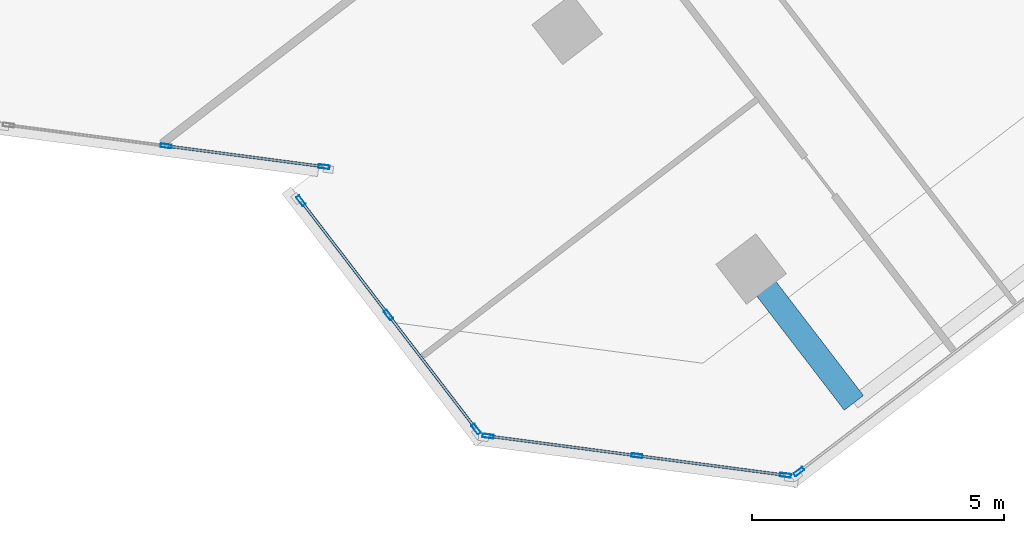
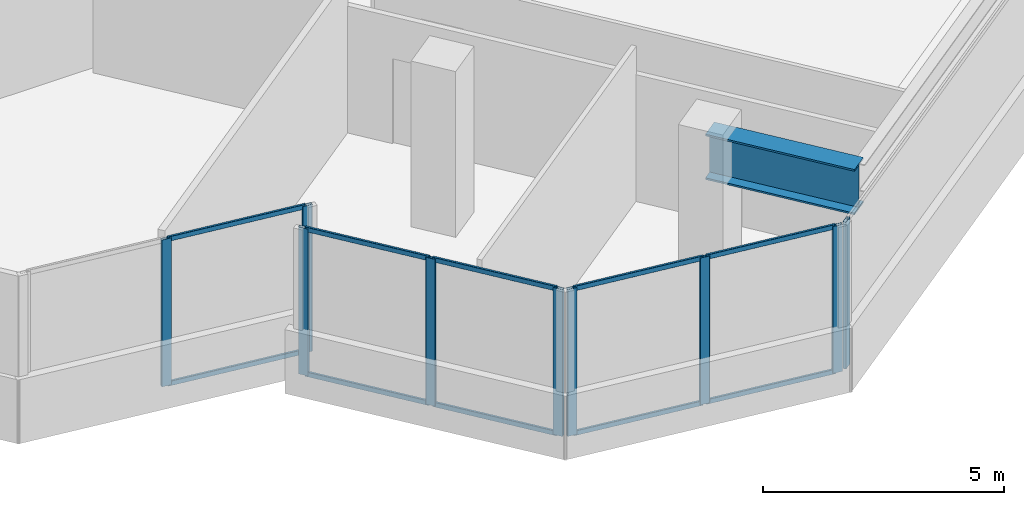
# One storey, part 3 of 17: 19 members, 1 beam, 4 elements without a shape of their own.
"""IFC4 building model written with IfcOpenShell, lengths in metres."""

from ifc_helpers import new_model, si_unit, direction, frame, origin, origin_2d, place, context, subcontext, project, spatial, hollow_rectangle, i_section, extrude, source, transform, mapped, material, material_profile, profile_set, type_object, element, aggregate, save


model = new_model("IFC4")

# Units and contexts
model_context = context("Model", 3, precision=1e-05, world=origin(), true_north=direction((0.0, 1.0)))
body_context = subcontext(model_context, "Body", "Model", "MODEL_VIEW")
ifc_project = project(units=[si_unit("LENGTHUNIT", "METRE"), si_unit("AREAUNIT", "SQUARE_METRE"), si_unit("VOLUMEUNIT", "CUBIC_METRE"), si_unit("PLANEANGLEUNIT", "RADIAN"), si_unit("MASSUNIT", "GRAM", prefix="KILO")], contexts=[model_context])

# Site, building, storey
site_placement = place(None, origin())
site = spatial("IfcSite", under=ifc_project, at=site_placement, CompositionType="ELEMENT")
building_placement = place(site_placement, origin())
building = spatial("IfcBuilding", under=site, at=building_placement, Name="Torre Montelarca", CompositionType="ELEMENT")
storey_placement = place(building_placement, frame((0.0, 0.0, 283.60009765625)))
storey = spatial("IfcBuildingStorey", under=building, at=storey_placement, Name="L64", CompositionType="ELEMENT", Elevation=283.60009765625)

# Beam
ifc_material_1 = material(Name="Steel ASTM A572 Grade 50", Category="steel")
ifc_material_profile_1 = material_profile(ifc_material_1, i_section(OverallWidth=0.47998046875, OverallDepth=1.14990234375, WebThickness=0.02197265625, FlangeThickness=0.044921875, at=origin_2d()), Name="PG1150X480X22X45", Category="steel")
ifc_profile_set_1 = profile_set([ifc_material_profile_1], Name="Steel ASTM A572 Grade 50")
beam_type = type_object("IfcBeamType", Name="BM-CG-PG1400-EXT", PredefinedType="USERDEFINED", material=ifc_profile_set_1)
shared_shape_1 = source(origin(), body_context, "Body", "SweptSolid", [
    extrude(i_section(OverallWidth=0.47998046875, OverallDepth=1.14990234375, WebThickness=0.02197265625, FlangeThickness=0.044921875, at=origin_2d()), origin(), (0.0, 0.0, 1.0), 3.349853515625),
])
beam_placement = place(storey_placement, frame((27.6328125, 10.8662109375, 3.344970703125), z_axis=(0.608755851541, -0.793357620002, 0.0), x_axis=(0.793357620002, 0.608755851541, 0.0)))
element("IfcBeam", 1, at=beam_placement, inside=storey, type_object=beam_type, Name="L64 Sliding Tray Cantilever Girder East Y=24m (FLR)", ObjectType="CANTILEVER GIRDER", PredefinedType="USERDEFINED", context=body_context, shape_type="MappedRepresentation", body=[
    mapped(shared_shape_1, transform((0.0, 0.0, 0.0), scale=1.0)),
])

# Curtain wall, members
ifc_material_2 = material(Name="Insulated low-E laminated glass", Category="glass")
curtain_wall_type = type_object("IfcCurtainWallType", Name="CW-SYS-Z3", PredefinedType="USERDEFINED", material=ifc_material_2)
curtain_wall_1_placement = place(storey_placement, origin())
curtain_wall_1 = element("IfcCurtainWall", 2, at=curtain_wall_1_placement, inside=storey, type_object=curtain_wall_type, Name="L64 Curtain Wall Run CW-T3-L64-E02-B1", ObjectType="UNITISED GLAZING", PredefinedType="USERDEFINED")
ifc_material_3 = material(Name="Anodised aluminium AA 6063-T6", Category="aluminium")
ifc_material_profile_2 = material_profile(ifc_material_3, hollow_rectangle(XDim=0.074951171875, YDim=0.219970703125, WallThickness=0.0048828125, InnerFilletRadius=0.0048828125, OuterFilletRadius=0.010009765625, at=origin_2d()), Name="ALU75X220X5", Category="aluminium")
ifc_profile_set_2 = profile_set([ifc_material_profile_2], Name="Anodised aluminium AA 6063-T6")
member_type_1 = type_object("IfcMemberType", Name="CWM-ALU220", PredefinedType="MULLION", material=ifc_profile_set_2)
shared_shape_2 = source(origin(), body_context, "Body", "SweptSolid", [
    extrude(hollow_rectangle(XDim=0.074951171875, YDim=0.219970703125, WallThickness=0.0048828125, InnerFilletRadius=0.0048828125, OuterFilletRadius=0.010009765625, at=origin_2d()), origin(), (0.0, 0.0, 1.0), 3.719970703125),
])
member_1_placement = place(storey_placement, frame((16.015625, 13.311279296875, 0.0), z_axis=(0.0, 0.0, 1.0), x_axis=(0.130514735715, 0.991446369584, 0.0)))
member_1 = element("IfcMember", 3, at=member_1_placement, type_object=member_type_1, Name="CW mullion 2", PredefinedType="MULLION", context=body_context, shape_type="MappedRepresentation", body=[
    mapped(shared_shape_2, transform((0.0, 0.0, 0.0), scale=1.0)),
])
member_2_placement = place(storey_placement, frame((19.151123046875, 12.8984375, 0.0), z_axis=(0.0, 0.0, 1.0), x_axis=(0.130514735715, 0.991446369584, 0.0)))
member_2 = element("IfcMember", 4, at=member_2_placement, type_object=member_type_1, Name="CW mullion 3", PredefinedType="MULLION", context=body_context, shape_type="MappedRepresentation", body=[
    mapped(shared_shape_2, transform((0.0, 0.0, 0.0), scale=1.0)),
])

curtain_wall_2_placement = place(storey_placement, origin())
curtain_wall_2 = element("IfcCurtainWall", 5, at=curtain_wall_2_placement, inside=storey, type_object=curtain_wall_type, Name="L64 Curtain Wall Run CW-T3-L64-E04-B1", ObjectType="UNITISED GLAZING", PredefinedType="USERDEFINED")
member_3_placement = place(storey_placement, frame((18.68896484375, 12.222412109375, 0.0), z_axis=(0.0, 0.0, 1.0), x_axis=(0.793353149171, 0.608761678082, 0.0)))
member_3 = element("IfcMember", 6, at=member_3_placement, type_object=member_type_1, Name="CW mullion 1", PredefinedType="MULLION", context=body_context, shape_type="MappedRepresentation", body=[
    mapped(shared_shape_2, transform((0.0, 0.0, 0.0), scale=1.0)),
])
member_4_placement = place(storey_placement, frame((20.42919921875, 9.954345703125, 0.0), z_axis=(0.0, 0.0, 1.0), x_axis=(0.793353149171, 0.608761678082, 0.0)))
member_4 = element("IfcMember", 7, at=member_4_placement, type_object=member_type_1, Name="CW mullion 2", PredefinedType="MULLION", context=body_context, shape_type="MappedRepresentation", body=[
    mapped(shared_shape_2, transform((0.0, 0.0, 0.0), scale=1.0)),
])
member_5_placement = place(storey_placement, frame((22.16943359375, 7.6865234375, 0.0), z_axis=(0.0, 0.0, 1.0), x_axis=(0.793353149171, 0.608761678082, 0.0)))
member_5 = element("IfcMember", 8, at=member_5_placement, type_object=member_type_1, Name="CW mullion 3", PredefinedType="MULLION", context=body_context, shape_type="MappedRepresentation", body=[
    mapped(shared_shape_2, transform((0.0, 0.0, 0.0), scale=1.0)),
])

curtain_wall_3_placement = place(storey_placement, origin())
curtain_wall_3 = element("IfcCurtainWall", 9, at=curtain_wall_3_placement, inside=storey, type_object=curtain_wall_type, Name="L64 Curtain Wall Run CW-T3-L64-E05-B1", ObjectType="UNITISED GLAZING", PredefinedType="USERDEFINED")
member_6_placement = place(storey_placement, frame((22.40869140625, 7.54833984375, 0.0), z_axis=(0.0, 0.0, 1.0), x_axis=(0.130514118862, 0.991446450787, 0.0)))
member_6 = element("IfcMember", 10, at=member_6_placement, type_object=member_type_1, Name="CW mullion 1", PredefinedType="MULLION", context=body_context, shape_type="MappedRepresentation", body=[
    mapped(shared_shape_2, transform((0.0, 0.0, 0.0), scale=1.0)),
])
member_7_placement = place(storey_placement, frame((25.36181640625, 7.15966796875, 0.0), z_axis=(0.0, 0.0, 1.0), x_axis=(0.130514118862, 0.991446450787, 0.0)))
member_7 = element("IfcMember", 11, at=member_7_placement, type_object=member_type_1, Name="CW mullion 2", PredefinedType="MULLION", context=body_context, shape_type="MappedRepresentation", body=[
    mapped(shared_shape_2, transform((0.0, 0.0, 0.0), scale=1.0)),
])
member_8_placement = place(storey_placement, frame((28.31494140625, 6.77099609375, 0.0), z_axis=(0.0, 0.0, 1.0), x_axis=(0.130514118862, 0.991446450787, 0.0)))
member_8 = element("IfcMember", 12, at=member_8_placement, type_object=member_type_1, Name="CW mullion 3", PredefinedType="MULLION", context=body_context, shape_type="MappedRepresentation", body=[
    mapped(shared_shape_2, transform((0.0, 0.0, 0.0), scale=1.0)),
])

# Curtain wall, member
curtain_wall_4_placement = place(storey_placement, origin())
curtain_wall_4 = element("IfcCurtainWall", 13, at=curtain_wall_4_placement, inside=storey, type_object=curtain_wall_type, Name="L64 Curtain Wall Run CW-T3-L64-E06-B1", ObjectType="UNITISED GLAZING", PredefinedType="USERDEFINED")
member_9_placement = place(storey_placement, frame((28.581787109375, 6.84228515625, 0.0), z_axis=(0.0, 0.0, 1.0), x_axis=(-0.608763250019, 0.793351942978, 0.0)))
member_9 = element("IfcMember", 14, at=member_9_placement, type_object=member_type_1, Name="CW mullion 1", PredefinedType="MULLION", context=body_context, shape_type="MappedRepresentation", body=[
    mapped(shared_shape_2, transform((0.0, 0.0, 0.0), scale=1.0)),
])
aggregate(curtain_wall_4, [member_9])

# Member
ifc_material_profile_3 = material_profile(ifc_material_3, hollow_rectangle(XDim=0.054931640625, YDim=0.1201171875, WallThickness=0.00341796875, InnerFilletRadius=0.00341796875, OuterFilletRadius=0.007080078125, at=origin_2d()), Name="ALU55X120X3.5", Category="aluminium")
ifc_profile_set_3 = profile_set([ifc_material_profile_3], Name="Anodised aluminium AA 6063-T6")
member_type_2 = type_object("IfcMemberType", Name="CWT-ALU120", PredefinedType="USERDEFINED", material=ifc_profile_set_3)
shared_shape_3 = source(origin(), body_context, "Body", "SweptSolid", [
    extrude(hollow_rectangle(XDim=0.054931640625, YDim=0.1201171875, WallThickness=0.00341796875, InnerFilletRadius=0.00341796875, OuterFilletRadius=0.007080078125, at=origin_2d()), origin(), (0.0, 0.0, 1.0), 2.78369140625),
])
member_10_placement = place(storey_placement, frame((18.7119140625, 12.192626953125, 0.02734375), z_axis=(0.608748184307, -0.793363503133, 0.0), x_axis=(0.793363503133, 0.608748184307, 0.0)))
member_10 = element("IfcMember", 15, at=member_10_placement, type_object=member_type_2, Name="CW transom 1.1", ObjectType="TRANSOM", PredefinedType="USERDEFINED", context=body_context, shape_type="MappedRepresentation", body=[
    mapped(shared_shape_3, transform((0.0, 0.0, 0.0), scale=1.0)),
])

member_11_placement = place(storey_placement, frame((18.7119140625, 12.192626953125, 3.6923828125), z_axis=(0.608748184307, -0.793363503133, 0.0), x_axis=(0.793363503133, 0.608748184307, 0.0)))
member_11 = element("IfcMember", 16, at=member_11_placement, type_object=member_type_2, Name="CW transom 1.2", ObjectType="TRANSOM", PredefinedType="USERDEFINED", context=body_context, shape_type="MappedRepresentation", body=[
    mapped(shared_shape_3, transform((0.0, 0.0, 0.0), scale=1.0)),
])

member_12_placement = place(storey_placement, frame((20.4521484375, 9.9248046875, 0.02734375), z_axis=(0.608748184307, -0.793363503133, 0.0), x_axis=(0.793363503133, 0.608748184307, 0.0)))
member_12 = element("IfcMember", 17, at=member_12_placement, type_object=member_type_2, Name="CW transom 2.1", ObjectType="TRANSOM", PredefinedType="USERDEFINED", context=body_context, shape_type="MappedRepresentation", body=[
    mapped(shared_shape_3, transform((0.0, 0.0, 0.0), scale=1.0)),
])

member_13_placement = place(storey_placement, frame((20.4521484375, 9.9248046875, 3.6923828125), z_axis=(0.608748184307, -0.793363503133, 0.0), x_axis=(0.793363503133, 0.608748184307, 0.0)))
member_13 = element("IfcMember", 18, at=member_13_placement, type_object=member_type_2, Name="CW transom 2.2", ObjectType="TRANSOM", PredefinedType="USERDEFINED", context=body_context, shape_type="MappedRepresentation", body=[
    mapped(shared_shape_3, transform((0.0, 0.0, 0.0), scale=1.0)),
])

aggregate(curtain_wall_2, [member_3, member_4, member_5, member_10, member_11, member_12, member_13])

shared_shape_4 = source(origin(), body_context, "Body", "SweptSolid", [
    extrude(hollow_rectangle(XDim=0.054931640625, YDim=0.1201171875, WallThickness=0.00341796875, InnerFilletRadius=0.00341796875, OuterFilletRadius=0.007080078125, at=origin_2d()), origin(), (0.0, 0.0, 1.0), 3.087646484375),
])
member_14_placement = place(storey_placement, frame((16.052734375, 13.306396484375, 0.02734375), z_axis=(0.991442719296, -0.130542461884, 0.0), x_axis=(0.130542461884, 0.991442719296, 0.0)))
member_14 = element("IfcMember", 19, at=member_14_placement, type_object=member_type_2, Name="CW transom 2.1", ObjectType="TRANSOM", PredefinedType="USERDEFINED", context=body_context, shape_type="MappedRepresentation", body=[
    mapped(shared_shape_4, transform((0.0, 0.0, 0.0), scale=1.0)),
])

member_15_placement = place(storey_placement, frame((16.052734375, 13.306396484375, 3.6923828125), z_axis=(0.991442719296, -0.130542461884, 0.0), x_axis=(0.130542461884, 0.991442719296, 0.0)))
member_15 = element("IfcMember", 20, at=member_15_placement, type_object=member_type_2, Name="CW transom 2.2", ObjectType="TRANSOM", PredefinedType="USERDEFINED", context=body_context, shape_type="MappedRepresentation", body=[
    mapped(shared_shape_4, transform((0.0, 0.0, 0.0), scale=1.0)),
])

aggregate(curtain_wall_1, [member_1, member_2, member_14, member_15])

shared_shape_5 = source(origin(), body_context, "Body", "SweptSolid", [
    extrude(hollow_rectangle(XDim=0.054931640625, YDim=0.1201171875, WallThickness=0.00341796875, InnerFilletRadius=0.00341796875, OuterFilletRadius=0.007080078125, at=origin_2d()), origin(), (0.0, 0.0, 1.0), 2.90380859375),
])
member_16_placement = place(storey_placement, frame((22.44580078125, 7.54345703125, 0.02734375), z_axis=(0.991449716135, -0.13048931135, 0.0), x_axis=(0.13048931135, 0.991449716135, 0.0)))
member_16 = element("IfcMember", 21, at=member_16_placement, type_object=member_type_2, Name="CW transom 1.1", ObjectType="TRANSOM", PredefinedType="USERDEFINED", context=body_context, shape_type="MappedRepresentation", body=[
    mapped(shared_shape_5, transform((0.0, 0.0, 0.0), scale=1.0)),
])

member_17_placement = place(storey_placement, frame((22.44580078125, 7.54345703125, 3.6923828125), z_axis=(0.991449716135, -0.13048931135, 0.0), x_axis=(0.13048931135, 0.991449716135, 0.0)))
member_17 = element("IfcMember", 22, at=member_17_placement, type_object=member_type_2, Name="CW transom 1.2", ObjectType="TRANSOM", PredefinedType="USERDEFINED", context=body_context, shape_type="MappedRepresentation", body=[
    mapped(shared_shape_5, transform((0.0, 0.0, 0.0), scale=1.0)),
])

member_18_placement = place(storey_placement, frame((25.39892578125, 7.15478515625, 0.02734375), z_axis=(0.991449716135, -0.13048931135, 0.0), x_axis=(0.13048931135, 0.991449716135, 0.0)))
member_18 = element("IfcMember", 23, at=member_18_placement, type_object=member_type_2, Name="CW transom 2.1", ObjectType="TRANSOM", PredefinedType="USERDEFINED", context=body_context, shape_type="MappedRepresentation", body=[
    mapped(shared_shape_5, transform((0.0, 0.0, 0.0), scale=1.0)),
])

member_19_placement = place(storey_placement, frame((25.39892578125, 7.15478515625, 3.6923828125), z_axis=(0.991449716135, -0.13048931135, 0.0), x_axis=(0.13048931135, 0.991449716135, 0.0)))
member_19 = element("IfcMember", 24, at=member_19_placement, type_object=member_type_2, Name="CW transom 2.2", ObjectType="TRANSOM", PredefinedType="USERDEFINED", context=body_context, shape_type="MappedRepresentation", body=[
    mapped(shared_shape_5, transform((0.0, 0.0, 0.0), scale=1.0)),
])

aggregate(curtain_wall_3, [member_6, member_7, member_8, member_16, member_17, member_18, member_19])

save(model, "model.ifc")
